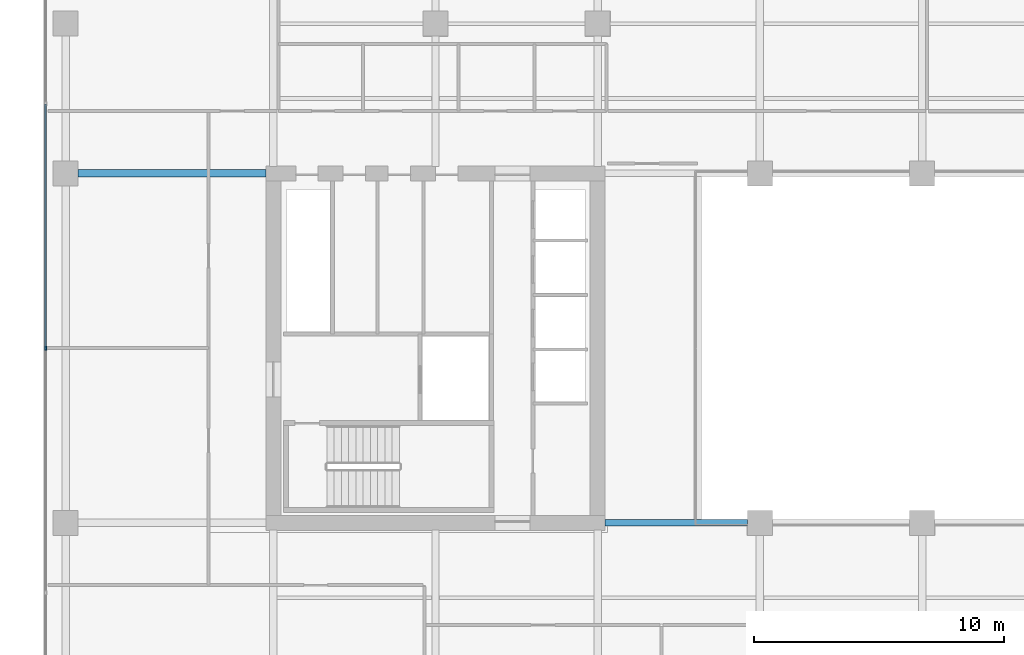
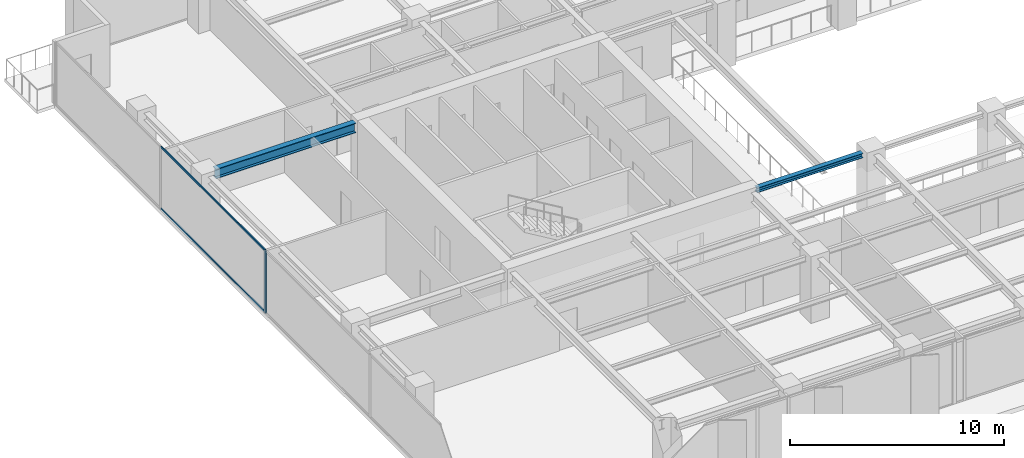
# One storey, part 4 of 22: 3 members, 2 beams, 1 element without a shape of its own.
"""IFC4 building model written with IfcOpenShell, lengths in metres."""

from ifc_helpers import new_model, si_unit, direction, frame, origin, origin_2d, place, context, subcontext, project, spatial, rectangle, i_section, extrude, material, layer, layer_set, material_profile, profile_set, type_object, element, aggregate, save


model = new_model("IFC4")

# Units and contexts
model_context = context("Model", 3, precision=1e-05, world=origin(), true_north=direction((0.0, 1.0)))
body_context = subcontext(model_context, "Body", "Model", "MODEL_VIEW")
ifc_project = project(units=[si_unit("LENGTHUNIT", "METRE"), si_unit("AREAUNIT", "SQUARE_METRE"), si_unit("VOLUMEUNIT", "CUBIC_METRE"), si_unit("PLANEANGLEUNIT", "RADIAN"), si_unit("MASSUNIT", "GRAM", prefix="KILO")], contexts=[model_context])

# Site, building, storey
site_placement = place(None, origin())
site = spatial("IfcSite", under=ifc_project, at=site_placement, CompositionType="ELEMENT")
building_placement = place(site_placement, origin())
building = spatial("IfcBuilding", under=site, at=building_placement, Name="Putna Gate Headquarters", CompositionType="ELEMENT")
storey_placement = place(building_placement, frame((0.0, 0.0, 144.199951171875)))
storey = spatial("IfcBuildingStorey", under=building, at=storey_placement, Name="L35", CompositionType="ELEMENT", Elevation=144.199951171875)

# Beams
ifc_material_1 = material(Name="Steel S355J2", Category="steel")
ifc_material_profile_1 = material_profile(ifc_material_1, i_section(OverallWidth=0.260009765625, OverallDepth=0.260009765625, WebThickness=0.010009765625, FlangeThickness=0.017578125, at=origin_2d()), Name="Steel S355J2")
ifc_profile_set_1 = profile_set([ifc_material_profile_1], Name="Steel S355J2")
beam_type_1 = type_object("IfcBeamType", Name="BM-ATRIUM-HEB260", PredefinedType="BEAM", material=ifc_profile_set_1)
beam_1_placement = place(storey_placement, frame((26.284912109375, 19.0, 3.442138671875), z_axis=(1.0, 0.0, 0.0), x_axis=(0.0, 1.0, 0.0)))
element("IfcBeam", 1, at=beam_1_placement, inside=storey, type_object=beam_type_1, Name="L35 Atrium Edge Beam AS1", PredefinedType="BEAM", context=body_context, shape_type="SweptSolid", body=[
    extrude(i_section(OverallWidth=0.260009765625, OverallDepth=0.260009765625, WebThickness=0.010009765625, FlangeThickness=0.017578125, at=origin_2d()), origin(), (0.0, 0.0, 1.0), 5.72705078125),
])
ifc_material_profile_2 = material_profile(ifc_material_1, i_section(OverallWidth=0.300048828125, OverallDepth=0.550048828125, WebThickness=0.014892578125, FlangeThickness=0.029052734375, at=origin_2d()), Name="Steel S355J2")
ifc_profile_set_2 = profile_set([ifc_material_profile_2], Name="Steel S355J2")
beam_type_2 = type_object("IfcBeamType", Name="BM-GIRD-Z3-HEB550", PredefinedType="USERDEFINED", material=ifc_profile_set_2)
beam_2_placement = place(storey_placement, frame((5.16796875, 33.0, 3.297119140625), z_axis=(1.0, 0.0, 0.0), x_axis=(0.0, 1.0, 0.0)))
element("IfcBeam", 2, at=beam_2_placement, inside=storey, type_object=beam_type_2, Name="L35 West Wing Girder Y33", ObjectType="GIRDER", PredefinedType="USERDEFINED", context=body_context, shape_type="SweptSolid", body=[
    extrude(i_section(OverallWidth=0.300048828125, OverallDepth=0.550048828125, WebThickness=0.014892578125, FlangeThickness=0.029052734375, at=origin_2d()), origin(), (0.0, 0.0, 1.0), 7.547119140625),
])

# Curtain wall, members
ifc_material_2 = material(Name="Anodised bronze aluminium curtain wall", Category="aluminium")
ifc_layer = layer(ifc_material_2, 0.159912109375)
ifc_layer_set = layer_set([ifc_layer], Name="Anodised bronze aluminium curtain wall")
curtain_wall_type = type_object("IfcCurtainWallType", Name="CW-SYS-Z3", PredefinedType="USERDEFINED", material=ifc_layer_set)
curtain_wall_placement = place(storey_placement, origin())
curtain_wall = element("IfcCurtainWall", 3, at=curtain_wall_placement, inside=storey, type_object=curtain_wall_type, Name="L35 West Curtain Wall", ObjectType="STICK CURTAIN WALL", PredefinedType="USERDEFINED")
ifc_material_3 = material(Name="Anodised bronze aluminium EN AW-6060", Category="aluminium")
ifc_material_profile_3 = material_profile(ifc_material_3, rectangle(XDim=0.06494140625, YDim=0.159912109375, at=origin_2d()), Name="Anodised bronze aluminium EN AW-6060")
ifc_profile_set_3 = profile_set([ifc_material_profile_3], Name="Anodised bronze aluminium EN AW-6060")
member_type_1 = type_object("IfcMemberType", Name="MULL-CWM-3", PredefinedType="MULLION", material=ifc_profile_set_3)
member_1_placement = place(storey_placement, frame((3.8798828125, 26.0, 0.0), z_axis=(0.0, 0.0, 1.0), x_axis=(-1.0, 0.0, 0.0)))
member_1 = element("IfcMember", 4, at=member_1_placement, type_object=member_type_1, Name="CWS-3 mullion 3", PredefinedType="MULLION", context=body_context, shape_type="SweptSolid", body=[
    extrude(rectangle(XDim=0.06494140625, YDim=0.159912109375, at=origin_2d()), origin(), (0.0, 0.0, 1.0), 3.572021484375),
])
ifc_material_profile_4 = material_profile(ifc_material_3, rectangle(XDim=0.06005859375, YDim=0.10009765625, at=origin_2d()), Name="Anodised bronze aluminium EN AW-6060")
ifc_profile_set_4 = profile_set([ifc_material_profile_4], Name="Anodised bronze aluminium EN AW-6060")
member_type_2 = type_object("IfcMemberType", Name="TRAN-CWT-3", PredefinedType="USERDEFINED", material=ifc_profile_set_4)
member_2_placement = place(storey_placement, frame((3.8798828125, 26.032470703125, 0.030029296875), z_axis=(0.0, 1.0, 0.0), x_axis=(-1.0, 0.0, 0.0)))
member_2 = element("IfcMember", 5, at=member_2_placement, type_object=member_type_2, Name="CWS-3 transom 3.1", ObjectType="TRANSOM", PredefinedType="USERDEFINED", context=body_context, shape_type="SweptSolid", body=[
    extrude(rectangle(XDim=0.06005859375, YDim=0.10009765625, at=origin_2d()), origin(), (0.0, 0.0, 1.0), 9.735107421875),
])
member_3_placement = place(storey_placement, frame((3.8798828125, 26.032470703125, 3.5419921875), z_axis=(0.0, 1.0, 0.0), x_axis=(-1.0, 0.0, 0.0)))
member_3 = element("IfcMember", 6, at=member_3_placement, type_object=member_type_2, Name="CWS-3 transom 3.2", ObjectType="TRANSOM", PredefinedType="USERDEFINED", context=body_context, shape_type="SweptSolid", body=[
    extrude(rectangle(XDim=0.06005859375, YDim=0.10009765625, at=origin_2d()), origin(), (0.0, 0.0, 1.0), 9.735107421875),
])
aggregate(curtain_wall, [member_1, member_2, member_3])

save(model, "model.ifc")
